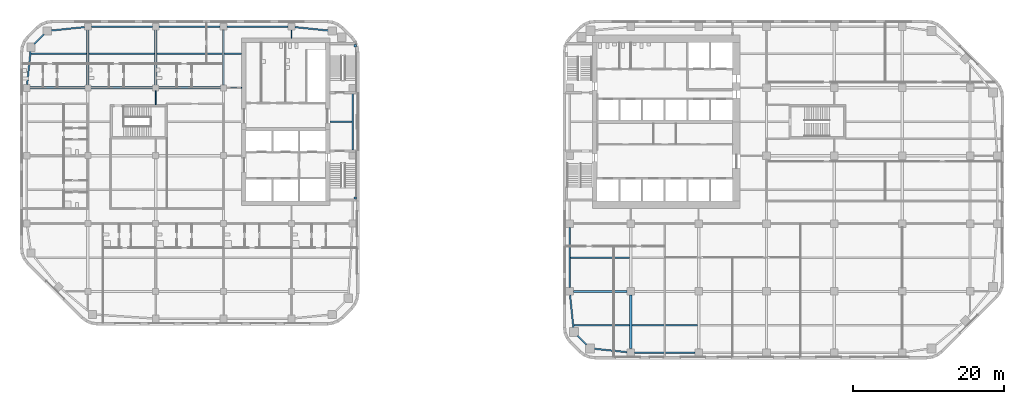
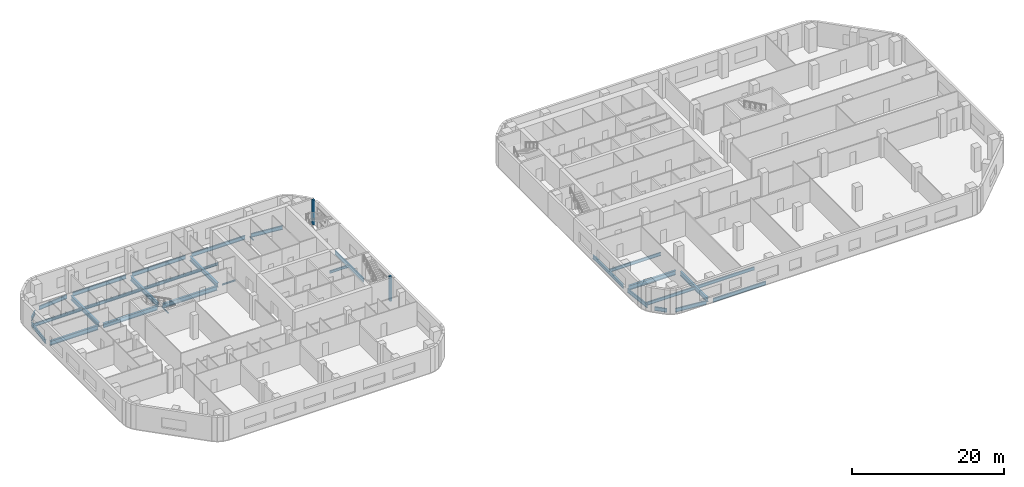
# One storey, part 2 of 16: 32 beams, 2 members.
"""IFC4 building model written with IfcOpenShell, lengths in metres."""

from ifc_helpers import new_model, si_unit, direction, frame, origin, origin_2d, place, context, subcontext, project, spatial, rectangle, i_section, extrude, material, material_profile, profile_set, type_object, element, save


model = new_model("IFC4")

# Units and contexts
model_context = context("Model", 3, precision=1e-05, world=origin(), true_north=direction((0.0, 1.0)))
body_context = subcontext(model_context, "Body", "Model", "MODEL_VIEW")
ifc_project = project(units=[si_unit("LENGTHUNIT", "METRE"), si_unit("AREAUNIT", "SQUARE_METRE"), si_unit("VOLUMEUNIT", "CUBIC_METRE"), si_unit("PLANEANGLEUNIT", "RADIAN"), si_unit("MASSUNIT", "GRAM", prefix="KILO")], contexts=[model_context])

# Site, building, storey
site_placement = place(None, origin())
site = spatial("IfcSite", under=ifc_project, at=site_placement, CompositionType="ELEMENT")
building_placement = place(site_placement, origin())
building = spatial("IfcBuilding", under=site, at=building_placement, Name="Cinnabar Reach Civic Tower", CompositionType="ELEMENT")
storey_placement = place(building_placement, frame((0.0, 0.0, 30.0)))
storey = spatial("IfcBuildingStorey", under=building, at=storey_placement, Name="L06", CompositionType="ELEMENT", Elevation=30.0)

# Beams
ifc_material_1 = material(Name="Steel Q355B", Category="steel")
ifc_material_profile_1 = material_profile(ifc_material_1, i_section(OverallWidth=0.099, OverallDepth=0.198, WebThickness=0.0045, FlangeThickness=0.007, FilletRadius=0.013, at=origin_2d()), Name="HN200x100x5.5x8")
ifc_profile_set_1 = profile_set([ifc_material_profile_1], Name="Steel Q355B")
beam_type_1 = type_object("IfcBeamType", Name="HN200x100x5.5x8 beam R 120", PredefinedType="BEAM", material=ifc_profile_set_1)
beam_1_placement = place(storey_placement, frame((-54.0, 33.752, -0.249), z_axis=(0.0, 1.0, 0.0), x_axis=(-1.0, 0.0, 0.0)))
element("IfcBeam", 1, at=beam_1_placement, inside=storey, type_object=beam_type_1, Name="Girder T2 L06 10", PredefinedType="BEAM", context=body_context, shape_type="SweptSolid", body=[
    extrude(i_section(OverallWidth=0.099, OverallDepth=0.198, WebThickness=0.0045, FlangeThickness=0.007, FilletRadius=0.013, at=origin_2d()), origin(), (0.0, 0.0, 1.0), 1.846),
])
beam_2_placement = place(storey_placement, frame((-36.0, 42.602, -0.249), z_axis=(0.0, 1.0, 0.0), x_axis=(-1.0, 0.0, 0.0)))
element("IfcBeam", 2, at=beam_2_placement, inside=storey, type_object=beam_type_1, Name="Girder T2 L06 20", PredefinedType="BEAM", context=body_context, shape_type="SweptSolid", body=[
    extrude(i_section(OverallWidth=0.099, OverallDepth=0.198, WebThickness=0.0045, FlangeThickness=0.007, FilletRadius=0.013, at=origin_2d()), origin(), (0.0, 0.0, 1.0), 1.046),
])
ifc_material_profile_2 = material_profile(ifc_material_1, i_section(OverallWidth=0.124, OverallDepth=0.248, WebThickness=0.005, FlangeThickness=0.008, FilletRadius=0.013, at=origin_2d()), Name="HN250x125x6x9")
ifc_profile_set_2 = profile_set([ifc_material_profile_2], Name="Steel Q355B")
beam_type_2 = type_object("IfcBeamType", Name="HN250x125x6x9 beam R 120", PredefinedType="BEAM", material=ifc_profile_set_2)
beam_3_placement = place(storey_placement, frame((-44.598, 36.0, -0.274), z_axis=(1.0, 0.0, 0.0), x_axis=(0.0, 1.0, 0.0)))
element("IfcBeam", 3, at=beam_3_placement, inside=storey, type_object=beam_type_2, Name="Girder T2 L06 18", PredefinedType="BEAM", context=body_context, shape_type="SweptSolid", body=[
    extrude(i_section(OverallWidth=0.124, OverallDepth=0.248, WebThickness=0.005, FlangeThickness=0.008, FilletRadius=0.013, at=origin_2d()), origin(), (0.0, 0.0, 1.0), 1.996),
])
ifc_material_profile_3 = material_profile(ifc_material_1, i_section(OverallWidth=0.2, OverallDepth=0.4, WebThickness=0.008, FlangeThickness=0.013, FilletRadius=0.016, at=origin_2d()), Name="HN400x200x8x13")
ifc_profile_set_3 = profile_set([ifc_material_profile_3], Name="Steel Q355B")
beam_type_3 = type_object("IfcBeamType", Name="HN400x200x8x13 beam R 120", PredefinedType="BEAM", material=ifc_profile_set_3)
beam_4_placement = place(storey_placement, frame((-30.898, 31.5, -0.35), z_axis=(1.0, 0.0, 0.0), x_axis=(0.0, 1.0, 0.0)))
element("IfcBeam", 4, at=beam_4_placement, inside=storey, type_object=beam_type_3, Name="Secondary beam T2 L06 14", PredefinedType="BEAM", context=body_context, shape_type="SweptSolid", body=[
    extrude(i_section(OverallWidth=0.2, OverallDepth=0.4, WebThickness=0.008, FlangeThickness=0.013, FilletRadius=0.016, at=origin_2d()), origin(), (0.0, 0.0, 1.0), 2.896),
])
beam_5_placement = place(storey_placement, frame((-44.848, 40.5, -0.35), z_axis=(1.0, 0.0, 0.0), x_axis=(0.0, 1.0, 0.0)))
element("IfcBeam", 5, at=beam_5_placement, inside=storey, type_object=beam_type_3, Name="Secondary beam T2 L06 18", PredefinedType="BEAM", context=body_context, shape_type="SweptSolid", body=[
    extrude(i_section(OverallWidth=0.2, OverallDepth=0.4, WebThickness=0.008, FlangeThickness=0.013, FilletRadius=0.016, at=origin_2d()), origin(), (0.0, 0.0, 1.0), 2.246),
])
ifc_material_profile_4 = material_profile(ifc_material_1, i_section(OverallWidth=0.2, OverallDepth=0.5, WebThickness=0.01, FlangeThickness=0.016, FilletRadius=0.016, at=origin_2d()), Name="HN500x200x10x16")
ifc_profile_set_4 = profile_set([ifc_material_profile_4], Name="Steel Q355B")
beam_type_4 = type_object("IfcBeamType", Name="HN500x200x10x16 beam R 120", PredefinedType="BEAM", material=ifc_profile_set_4)
beam_6_placement = place(storey_placement, frame((-70.5364, 40.5, -0.4), z_axis=(1.0, 0.0, 0.0), x_axis=(0.0, 1.0, 0.0)))
element("IfcBeam", 6, at=beam_6_placement, inside=storey, type_object=beam_type_4, Name="Secondary beam T2 L06 15", PredefinedType="BEAM", context=body_context, shape_type="SweptSolid", body=[
    extrude(i_section(OverallWidth=0.2, OverallDepth=0.5, WebThickness=0.01, FlangeThickness=0.016, FilletRadius=0.016, at=origin_2d()), origin(), (0.0, 0.0, 1.0), 7.3844),
])
for number, where, z_axis, x_axis, name in (
    (7, (-62.848, 40.5, -0.4), (1.0, 0.0, 0.0), (0.0, 1.0, 0.0), "Secondary beam T2 L06 16"),
    (8, (-53.848, 40.5, -0.4), (1.0, 0.0, 0.0), (0.0, 1.0, 0.0), "Secondary beam T2 L06 17"),
):
    element("IfcBeam", number, at=place(storey_placement, frame(where, z_axis=z_axis, x_axis=x_axis)), inside=storey, type_object=beam_type_4, Name=name, PredefinedType="BEAM", context=body_context, shape_type="SweptSolid", body=[
        extrude(i_section(OverallWidth=0.2, OverallDepth=0.5, WebThickness=0.01, FlangeThickness=0.016, FilletRadius=0.016, at=origin_2d()), origin(), (0.0, 0.0, 1.0), 8.696),
    ])
ifc_material_profile_5 = material_profile(ifc_material_1, i_section(OverallWidth=0.2, OverallDepth=0.5, WebThickness=0.01, FlangeThickness=0.016, FilletRadius=0.016, at=origin_2d()), Name="HN500x200x10x16")
ifc_profile_set_5 = profile_set([ifc_material_profile_5], Name="Steel Q355B")
beam_type_5 = type_object("IfcBeamType", Name="HN500x200x10x16 beam R 180", PredefinedType="BEAM", material=ifc_profile_set_5)
beam_7_placement = place(storey_placement, frame((1.4636, 4.5, -0.4), z_axis=(1.0, 0.0, 0.0), x_axis=(0.0, 1.0, 0.0)))
element("IfcBeam", 9, at=beam_7_placement, inside=storey, type_object=beam_type_5, Name="Secondary beam T1 L06 1", PredefinedType="BEAM", context=body_context, shape_type="SweptSolid", body=[
    extrude(i_section(OverallWidth=0.2, OverallDepth=0.5, WebThickness=0.01, FlangeThickness=0.016, FilletRadius=0.016, at=origin_2d()), origin(), (0.0, 0.0, 1.0), 7.3844),
])
beam_8_placement = place(storey_placement, frame((9.152, 4.5, -0.4), z_axis=(1.0, 0.0, 0.0), x_axis=(0.0, 1.0, 0.0)))
element("IfcBeam", 10, at=beam_8_placement, inside=storey, type_object=beam_type_5, Name="Secondary beam T1 L06 2", PredefinedType="BEAM", context=body_context, shape_type="SweptSolid", body=[
    extrude(i_section(OverallWidth=0.2, OverallDepth=0.5, WebThickness=0.01, FlangeThickness=0.016, FilletRadius=0.016, at=origin_2d()), origin(), (0.0, 0.0, 1.0), 8.696),
])
beam_9_placement = place(storey_placement, frame((1.002, 13.5, -0.4), z_axis=(1.0, 0.0, 0.0), x_axis=(0.0, 1.0, 0.0)))
element("IfcBeam", 11, at=beam_9_placement, inside=storey, type_object=beam_type_5, Name="Secondary beam T1 L06 7", PredefinedType="BEAM", context=body_context, shape_type="SweptSolid", body=[
    extrude(i_section(OverallWidth=0.2, OverallDepth=0.5, WebThickness=0.01, FlangeThickness=0.016, FilletRadius=0.016, at=origin_2d()), origin(), (0.0, 0.0, 1.0), 7.846),
])
ifc_material_profile_6 = material_profile(ifc_material_1, i_section(OverallWidth=0.2, OverallDepth=0.6, WebThickness=0.011, FlangeThickness=0.017, FilletRadius=0.016, at=origin_2d()), Name="HN600x200x11x17")
ifc_profile_set_6 = profile_set([ifc_material_profile_6], Name="Steel Q355B")
beam_type_6 = type_object("IfcBeamType", Name="HN600x200x11x17 beam R 120", PredefinedType="BEAM", material=ifc_profile_set_6)
beam_10_placement = place(storey_placement, frame((-27.9, 27.752, -0.45), z_axis=(0.0, 1.0, 0.0), x_axis=(-1.0, 0.0, 0.0)))
element("IfcBeam", 12, at=beam_10_placement, inside=storey, type_object=beam_type_6, Name="Edge beam T2 L06 8", PredefinedType="BEAM", context=body_context, shape_type="SweptSolid", body=[
    extrude(i_section(OverallWidth=0.2, OverallDepth=0.6, WebThickness=0.011, FlangeThickness=0.017, FilletRadius=0.016, at=origin_2d()), origin(), (0.0, 0.0, 1.0), 7.496),
])
beam_11_placement = place(storey_placement, frame((-31.0339, 43.5912, -0.45), z_axis=(-0.994792272495, 0.101923179821, 0.0), x_axis=(-0.101923179821, -0.994792272495, 0.0)))
element("IfcBeam", 13, at=beam_11_placement, inside=storey, type_object=beam_type_6, Name="Edge beam T2 L06 9", PredefinedType="BEAM", context=body_context, shape_type="SweptSolid", body=[
    extrude(i_section(OverallWidth=0.2, OverallDepth=0.6, WebThickness=0.011, FlangeThickness=0.017, FilletRadius=0.016, at=origin_2d()), origin(), (0.0, 0.0, 1.0), 4.5377),
])
for number, where, z_axis, x_axis, name in (
    (14, (-36.452, 44.1, -0.45), (-1.0, 0.0, 0.0), (0.0, -1.0, 0.0), "Edge beam T2 L06 10"),
    (15, (-45.452, 44.1, -0.45), (-1.0, 0.0, 0.0), (0.0, -1.0, 0.0), "Edge beam T2 L06 11"),
    (16, (-54.452, 44.1, -0.45), (-1.0, 0.0, 0.0), (0.0, -1.0, 0.0), "Edge beam T2 L06 12"),
):
    element("IfcBeam", number, at=place(storey_placement, frame(where, z_axis=z_axis, x_axis=x_axis)), inside=storey, type_object=beam_type_6, Name=name, PredefinedType="BEAM", context=body_context, shape_type="SweptSolid", body=[
        extrude(i_section(OverallWidth=0.2, OverallDepth=0.6, WebThickness=0.011, FlangeThickness=0.017, FilletRadius=0.016, at=origin_2d()), origin(), (0.0, 0.0, 1.0), 8.096),
    ])
beam_12_placement = place(storey_placement, frame((-63.452, 44.0537, -0.45), z_axis=(-0.994792272495, -0.101923179821, 0.0), x_axis=(0.101923179821, -0.994792272495, 0.0)))
element("IfcBeam", 17, at=beam_12_placement, inside=storey, type_object=beam_type_6, Name="Edge beam T2 L06 13", PredefinedType="BEAM", context=body_context, shape_type="SweptSolid", body=[
    extrude(i_section(OverallWidth=0.2, OverallDepth=0.6, WebThickness=0.011, FlangeThickness=0.017, FilletRadius=0.016, at=origin_2d()), origin(), (0.0, 0.0, 1.0), 4.5377),
])
beam_13_placement = place(storey_placement, frame((-68.8301, 43.1149, -0.45), z_axis=(-0.707106781187, -0.707106781187, 0.0), x_axis=(0.707106781187, -0.707106781187, 0.0)))
element("IfcBeam", 18, at=beam_13_placement, inside=storey, type_object=beam_type_6, Name="Edge beam T2 L06 14", PredefinedType="BEAM", context=body_context, shape_type="SweptSolid", body=[
    extrude(i_section(OverallWidth=0.2, OverallDepth=0.6, WebThickness=0.011, FlangeThickness=0.017, FilletRadius=0.016, at=origin_2d()), origin(), (0.0, 0.0, 1.0), 1.817),
])
beam_14_placement = place(storey_placement, frame((-70.5912, 40.9661, -0.45), z_axis=(-0.101923179821, -0.994792272495, 0.0), x_axis=(0.994792272495, -0.101923179821, 0.0)))
element("IfcBeam", 19, at=beam_14_placement, inside=storey, type_object=beam_type_6, Name="Edge beam T2 L06 15", PredefinedType="BEAM", context=body_context, shape_type="SweptSolid", body=[
    extrude(i_section(OverallWidth=0.2, OverallDepth=0.6, WebThickness=0.011, FlangeThickness=0.017, FilletRadius=0.016, at=origin_2d()), origin(), (0.0, 0.0, 1.0), 4.5377),
])
ifc_material_profile_7 = material_profile(ifc_material_1, i_section(OverallWidth=0.2, OverallDepth=0.6, WebThickness=0.011, FlangeThickness=0.017, FilletRadius=0.016, at=origin_2d()), Name="HN600x200x11x17")
ifc_profile_set_7 = profile_set([ifc_material_profile_7], Name="Steel Q355B")
beam_type_7 = type_object("IfcBeamType", Name="HN600x200x11x17 beam R 180", PredefinedType="BEAM", material=ifc_profile_set_7)
beam_15_placement = place(storey_placement, frame((4.0839, 1.4037, -0.45), z_axis=(0.994791228755, -0.101933366432, 0.0), x_axis=(0.101933366432, 0.994791228755, 0.0)))
element("IfcBeam", 20, at=beam_15_placement, inside=storey, type_object=beam_type_7, Name="Edge beam T1 L06 1", PredefinedType="BEAM", context=body_context, shape_type="SweptSolid", body=[
    extrude(i_section(OverallWidth=0.2, OverallDepth=0.6, WebThickness=0.011, FlangeThickness=0.017, FilletRadius=0.016, at=origin_2d()), origin(), (0.0, 0.0, 1.0), 4.4372),
])
for number, where, z_axis, x_axis, name in (
    (21, (9.502, 0.9, -0.45), (1.0, 0.0, 0.0), (0.0, 1.0, 0.0), "Edge beam T1 L06 2"),
    (22, (0.9, 17.498, -0.45), (0.0, -1.0, 0.0), (1.0, 0.0, 0.0), "Edge beam T1 L06 22"),
):
    element("IfcBeam", number, at=place(storey_placement, frame(where, z_axis=z_axis, x_axis=x_axis)), inside=storey, type_object=beam_type_7, Name=name, PredefinedType="BEAM", context=body_context, shape_type="SweptSolid", body=[
        extrude(i_section(OverallWidth=0.2, OverallDepth=0.6, WebThickness=0.011, FlangeThickness=0.017, FilletRadius=0.016, at=origin_2d()), origin(), (0.0, 0.0, 1.0), 7.996),
    ])
beam_16_placement = place(storey_placement, frame((0.9514, 8.498, -0.45), z_axis=(0.101933366432, -0.994791228755, 0.0), x_axis=(0.994791228755, 0.101933366432, 0.0)))
element("IfcBeam", 23, at=beam_16_placement, inside=storey, type_object=beam_type_7, Name="Edge beam T1 L06 23", PredefinedType="BEAM", context=body_context, shape_type="SweptSolid", body=[
    extrude(i_section(OverallWidth=0.2, OverallDepth=0.6, WebThickness=0.011, FlangeThickness=0.017, FilletRadius=0.016, at=origin_2d()), origin(), (0.0, 0.0, 1.0), 4.4372),
])
beam_17_placement = place(storey_placement, frame((1.9351, 3.1199, -0.45), z_axis=(0.707106781187, -0.707106781187, 0.0), x_axis=(0.707106781187, 0.707106781187, 0.0)))
element("IfcBeam", 24, at=beam_17_placement, inside=storey, type_object=beam_type_7, Name="Edge beam T1 L06 24", PredefinedType="BEAM", context=body_context, shape_type="SweptSolid", body=[
    extrude(i_section(OverallWidth=0.2, OverallDepth=0.6, WebThickness=0.011, FlangeThickness=0.017, FilletRadius=0.016, at=origin_2d()), origin(), (0.0, 0.0, 1.0), 1.6756),
])
ifc_material_profile_8 = material_profile(ifc_material_1, i_section(OverallWidth=0.3, OverallDepth=0.692, WebThickness=0.013, FlangeThickness=0.02, FilletRadius=0.016, at=origin_2d()), Name="HN692x300x13x20")
ifc_profile_set_8 = profile_set([ifc_material_profile_8], Name="Steel Q355B")
beam_type_8 = type_object("IfcBeamType", Name="HN692x300x13x20 beam R 120", PredefinedType="BEAM", material=ifc_profile_set_8)
for number, where, z_axis, x_axis, name in (
    (25, (-63.0, 36.402, -0.496), (0.0, 1.0, 0.0), (-1.0, 0.0, 0.0), "Girder T2 L06 5"),
    (26, (-54.0, 36.402, -0.496), (0.0, 1.0, 0.0), (-1.0, 0.0, 0.0), "Girder T2 L06 11"),
    (27, (-45.0, 36.402, -0.496), (0.0, 1.0, 0.0), (-1.0, 0.0, 0.0), "Girder T2 L06 16"),
):
    element("IfcBeam", number, at=place(storey_placement, frame(where, z_axis=z_axis, x_axis=x_axis)), inside=storey, type_object=beam_type_8, Name=name, PredefinedType="BEAM", context=body_context, shape_type="SweptSolid", body=[
        extrude(i_section(OverallWidth=0.3, OverallDepth=0.692, WebThickness=0.013, FlangeThickness=0.02, FilletRadius=0.016, at=origin_2d()), origin(), (0.0, 0.0, 1.0), 7.246),
    ])
ifc_material_profile_9 = material_profile(ifc_material_1, i_section(OverallWidth=0.3, OverallDepth=0.692, WebThickness=0.013, FlangeThickness=0.02, FilletRadius=0.016, at=origin_2d()), Name="HN692x300x13x20")
ifc_profile_set_9 = profile_set([ifc_material_profile_9], Name="Steel Q355B")
beam_type_9 = type_object("IfcBeamType", Name="HN692x300x13x20 beam R 180", PredefinedType="BEAM", material=ifc_profile_set_9)
beam_18_placement = place(storey_placement, frame((9.0, 1.402, -0.496), z_axis=(0.0, 1.0, 0.0), x_axis=(-1.0, 0.0, 0.0)))
element("IfcBeam", 28, at=beam_18_placement, inside=storey, type_object=beam_type_9, Name="Girder T1 L06 1", PredefinedType="BEAM", context=body_context, shape_type="SweptSolid", body=[
    extrude(i_section(OverallWidth=0.3, OverallDepth=0.692, WebThickness=0.013, FlangeThickness=0.02, FilletRadius=0.016, at=origin_2d()), origin(), (0.0, 0.0, 1.0), 7.096),
])
ifc_material_profile_10 = material_profile(ifc_material_1, i_section(OverallWidth=0.3, OverallDepth=0.7, WebThickness=0.013, FlangeThickness=0.024, FilletRadius=0.02, at=origin_2d()), Name="HN700x300x13x24")
ifc_profile_set_10 = profile_set([ifc_material_profile_10], Name="Steel Q355B")
beam_type_10 = type_object("IfcBeamType", Name="HN700x300x13x24 beam R 120", PredefinedType="BEAM", material=ifc_profile_set_10)
beam_19_placement = place(storey_placement, frame((-70.648, 36.0, -0.5), z_axis=(1.0, 0.0, 0.0), x_axis=(0.0, 1.0, 0.0)))
element("IfcBeam", 29, at=beam_19_placement, inside=storey, type_object=beam_type_10, Name="Girder T2 L06 15", PredefinedType="BEAM", context=body_context, shape_type="SweptSolid", body=[
    extrude(i_section(OverallWidth=0.3, OverallDepth=0.7, WebThickness=0.013, FlangeThickness=0.024, FilletRadius=0.02, at=origin_2d()), origin(), (0.0, 0.0, 1.0), 7.246),
])
for number, where, z_axis, x_axis, name in (
    (30, (-62.598, 36.0, -0.5), (1.0, 0.0, 0.0), (0.0, 1.0, 0.0), "Girder T2 L06 16"),
    (31, (-53.598, 36.0, -0.5), (1.0, 0.0, 0.0), (0.0, 1.0, 0.0), "Girder T2 L06 17"),
):
    element("IfcBeam", number, at=place(storey_placement, frame(where, z_axis=z_axis, x_axis=x_axis)), inside=storey, type_object=beam_type_10, Name=name, PredefinedType="BEAM", context=body_context, shape_type="SweptSolid", body=[
        extrude(i_section(OverallWidth=0.3, OverallDepth=0.7, WebThickness=0.013, FlangeThickness=0.024, FilletRadius=0.02, at=origin_2d()), origin(), (0.0, 0.0, 1.0), 8.196),
    ])
ifc_material_profile_11 = material_profile(ifc_material_1, i_section(OverallWidth=0.3, OverallDepth=0.7, WebThickness=0.013, FlangeThickness=0.024, FilletRadius=0.02, at=origin_2d()), Name="HN700x300x13x24")
ifc_profile_set_11 = profile_set([ifc_material_profile_11], Name="Steel Q355B")
beam_type_11 = type_object("IfcBeamType", Name="HN700x300x13x24 beam R 180", PredefinedType="BEAM", material=ifc_profile_set_11)
beam_20_placement = place(storey_placement, frame((1.402, 9.0, -0.5), z_axis=(1.0, 0.0, 0.0), x_axis=(0.0, 1.0, 0.0)))
element("IfcBeam", 32, at=beam_20_placement, inside=storey, type_object=beam_type_11, Name="Girder T1 L06 1", PredefinedType="BEAM", context=body_context, shape_type="SweptSolid", body=[
    extrude(i_section(OverallWidth=0.3, OverallDepth=0.7, WebThickness=0.013, FlangeThickness=0.024, FilletRadius=0.02, at=origin_2d()), origin(), (0.0, 0.0, 1.0), 7.096),
])

# Members
ifc_material_2 = material(Name="Concrete C40", Category="concrete")
ifc_material_profile_12 = material_profile(ifc_material_2, rectangle(XDim=0.3, YDim=0.3, at=origin_2d()), Name="C300")
ifc_profile_set_12 = profile_set([ifc_material_profile_12], Name="Concrete C40")
member_type = type_object("IfcMemberType", Name="T2 stair post 300", PredefinedType="STRUT", material=ifc_profile_set_12)
for number, where, z_axis, x_axis, name in (
    (33, (-27.55, 21.4, 0.0), (0.0, 0.0, 1.0), (1.0, 0.0, 0.0), "Stair post 1"),
    (34, (-27.55, 41.6, 0.0), (0.0, 0.0, 1.0), (1.0, 0.0, 0.0), "Stair post 2"),
):
    element("IfcMember", number, at=place(storey_placement, frame(where, z_axis=z_axis, x_axis=x_axis)), inside=storey, type_object=member_type, Name=name, PredefinedType="STRUT", context=body_context, shape_type="SweptSolid", body=[
        extrude(rectangle(XDim=0.3, YDim=0.3, at=origin_2d()), origin(), (0.0, 0.0, 1.0), 4.0),
    ])

save(model, "model.ifc")
